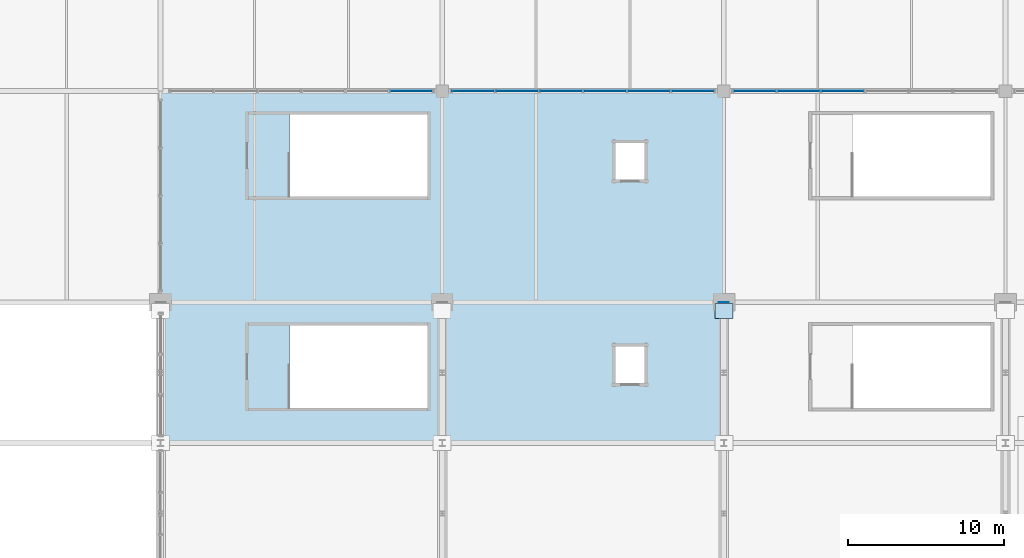
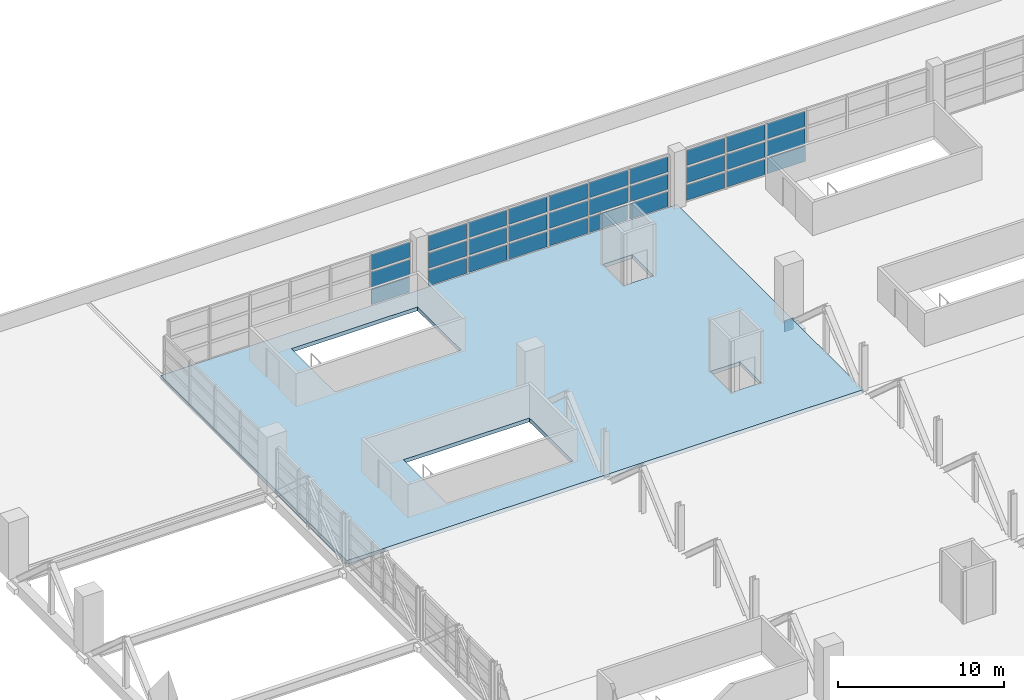
# One storey, part 104 of 136: 32 plates, 1 slab, 3 elements without a shape of their own.
"""IFC4 building model written with IfcOpenShell, lengths in metres."""

from ifc_helpers import new_model, si_unit, direction, frame, origin, origin_2d, place, context, subcontext, project, spatial, polyline, rectangle, outline, extrude, material, layer, layer_set, type_object, element, aggregate, save


model = new_model("IFC4")

# Units and contexts
model_context = context("Model", 3, precision=1e-05, world=origin(), true_north=direction((0.0, 1.0)))
body_context = subcontext(model_context, "Body", "Model", "MODEL_VIEW")
ifc_project = project(units=[si_unit("LENGTHUNIT", "METRE"), si_unit("AREAUNIT", "SQUARE_METRE"), si_unit("VOLUMEUNIT", "CUBIC_METRE"), si_unit("PLANEANGLEUNIT", "RADIAN"), si_unit("MASSUNIT", "GRAM", prefix="KILO")], contexts=[model_context])

# Site, building, storey
site_placement = place(None, origin())
site = spatial("IfcSite", under=ifc_project, at=site_placement, CompositionType="ELEMENT")
building_placement = place(site_placement, origin())
building = spatial("IfcBuilding", under=site, at=building_placement, Name="Chuanluo Vaults Station", CompositionType="ELEMENT")
storey_placement = place(building_placement, frame((0.0, 0.0, 6.60009765625)))
storey = spatial("IfcBuildingStorey", under=building, at=storey_placement, Name="L01", CompositionType="ELEMENT", Elevation=6.60009765625)

# Curtain wall, plate
ifc_material_1 = material(Name="Anodised aluminium 6063-T6", Category="aluminium")
curtain_wall_type_1 = type_object("IfcCurtainWallType", Name="CW-SYS-07", PredefinedType="NOTDEFINED", material=ifc_material_1)
curtain_wall_1_placement = place(storey_placement, origin())
curtain_wall_1 = element("IfcCurtainWall", 1, at=curtain_wall_1_placement, inside=storey, type_object=curtain_wall_type_1, Name="Over-track V2 north facade CW", PredefinedType="NOTDEFINED")
ifc_material_2 = material(Name="Ceramic-fritted spandrel glass", Category="glass")
ifc_layer_1 = layer(ifc_material_2, 0.06396484375)
ifc_layer_set_1 = layer_set([ifc_layer_1], Name="Ceramic-fritted spandrel glass")
plate_type_1 = type_object("IfcPlateType", Name="CWP-SPN-42", PredefinedType="SHEET", material=ifc_layer_set_1)
plate_1_placement = place(storey_placement, frame((34.020751953125, 117.0, 0.080078125), z_axis=(0.0, 0.0, 1.0), x_axis=(1.0, 0.0, 0.0)))
plate_1 = element("IfcPlate", 2, at=plate_1_placement, type_object=plate_type_1, Name="Over-track V2 north facade CW glazed panel 6.1", PredefinedType="SHEET", context=body_context, shape_type="SweptSolid", body=[
    extrude(rectangle(XDim=2.648193359375, YDim=0.06396484375, at=origin_2d()), origin(), (0.0, 0.0, 1.0), 1.123291015625),
])

# Curtain wall, plates
ifc_material_3 = material(Name="Anodised aluminium 6063-T6", Category="aluminium")
curtain_wall_type_2 = type_object("IfcCurtainWallType", Name="CW-SYS-11", PredefinedType="NOTDEFINED", material=ifc_material_3)
curtain_wall_2_placement = place(storey_placement, origin())
curtain_wall_2 = element("IfcCurtainWall", 3, at=curtain_wall_2_placement, inside=storey, type_object=curtain_wall_type_2, Name="Over-track V3 north facade CW", PredefinedType="NOTDEFINED")
plate_2_placement = place(storey_placement, frame((37.979248046875, 117.0, 0.080078125), z_axis=(0.0, 0.0, 1.0), x_axis=(1.0, 0.0, 0.0)))
plate_2 = element("IfcPlate", 4, at=plate_2_placement, type_object=plate_type_1, Name="Over-track V3 north facade CW glazed panel 1.1", PredefinedType="SHEET", context=body_context, shape_type="SweptSolid", body=[
    extrude(rectangle(XDim=2.648193359375, YDim=0.06396484375, at=origin_2d()), origin(), (0.0, 0.0, 1.0), 1.123291015625),
])
plate_3_placement = place(storey_placement, frame((40.78759765625, 117.0, 0.080078125), z_axis=(0.0, 0.0, 1.0), x_axis=(1.0, 0.0, 0.0)))
plate_3 = element("IfcPlate", 5, at=plate_3_placement, type_object=plate_type_1, Name="Over-track V3 north facade CW glazed panel 2.1", PredefinedType="SHEET", context=body_context, shape_type="SweptSolid", body=[
    extrude(rectangle(XDim=2.648193359375, YDim=0.06396484375, at=origin_2d()), origin(), (0.0, 0.0, 1.0), 1.123291015625),
])
plate_4_placement = place(storey_placement, frame((43.595703125, 117.0, 0.080078125), z_axis=(0.0, 0.0, 1.0), x_axis=(1.0, 0.0, 0.0)))
plate_4 = element("IfcPlate", 6, at=plate_4_placement, type_object=plate_type_1, Name="Over-track V3 north facade CW glazed panel 3.1", PredefinedType="SHEET", context=body_context, shape_type="SweptSolid", body=[
    extrude(rectangle(XDim=2.648193359375, YDim=0.06396484375, at=origin_2d()), origin(), (0.0, 0.0, 1.0), 1.123291015625),
])
plate_5_placement = place(storey_placement, frame((46.404296875, 117.0, 0.080078125), z_axis=(0.0, 0.0, 1.0), x_axis=(1.0, 0.0, 0.0)))
plate_5 = element("IfcPlate", 7, at=plate_5_placement, type_object=plate_type_1, Name="Over-track V3 north facade CW glazed panel 4.1", PredefinedType="SHEET", context=body_context, shape_type="SweptSolid", body=[
    extrude(rectangle(XDim=2.648193359375, YDim=0.06396484375, at=origin_2d()), origin(), (0.0, 0.0, 1.0), 1.123291015625),
])
plate_6_placement = place(storey_placement, frame((49.21240234375, 117.0, 0.080078125), z_axis=(0.0, 0.0, 1.0), x_axis=(1.0, 0.0, 0.0)))
plate_6 = element("IfcPlate", 8, at=plate_6_placement, type_object=plate_type_1, Name="Over-track V3 north facade CW glazed panel 5.1", PredefinedType="SHEET", context=body_context, shape_type="SweptSolid", body=[
    extrude(rectangle(XDim=2.648193359375, YDim=0.06396484375, at=origin_2d()), origin(), (0.0, 0.0, 1.0), 1.123291015625),
])
plate_7_placement = place(storey_placement, frame((52.020751953125, 117.0, 0.080078125), z_axis=(0.0, 0.0, 1.0), x_axis=(1.0, 0.0, 0.0)))
plate_7 = element("IfcPlate", 9, at=plate_7_placement, type_object=plate_type_1, Name="Over-track V3 north facade CW glazed panel 6.1", PredefinedType="SHEET", context=body_context, shape_type="SweptSolid", body=[
    extrude(rectangle(XDim=2.648193359375, YDim=0.06396484375, at=origin_2d()), origin(), (0.0, 0.0, 1.0), 1.123291015625),
])

ifc_material_4 = material(Name="Anodised aluminium 6063-T6", Category="aluminium")
curtain_wall_type_3 = type_object("IfcCurtainWallType", Name="CW-SYS-15", PredefinedType="NOTDEFINED", material=ifc_material_4)
curtain_wall_3_placement = place(storey_placement, origin())
curtain_wall_3 = element("IfcCurtainWall", 10, at=curtain_wall_3_placement, inside=storey, type_object=curtain_wall_type_3, Name="Over-track V4 north facade CW", PredefinedType="NOTDEFINED")
plate_8_placement = place(storey_placement, frame((55.979248046875, 117.0, 0.080078125), z_axis=(0.0, 0.0, 1.0), x_axis=(1.0, 0.0, 0.0)))
plate_8 = element("IfcPlate", 11, at=plate_8_placement, type_object=plate_type_1, Name="Over-track V4 north facade CW glazed panel 1.1", PredefinedType="SHEET", context=body_context, shape_type="SweptSolid", body=[
    extrude(rectangle(XDim=2.648193359375, YDim=0.06396484375, at=origin_2d()), origin(), (0.0, 0.0, 1.0), 1.123291015625),
])
plate_9_placement = place(storey_placement, frame((58.78759765625, 117.0, 0.080078125), z_axis=(0.0, 0.0, 1.0), x_axis=(1.0, 0.0, 0.0)))
plate_9 = element("IfcPlate", 12, at=plate_9_placement, type_object=plate_type_1, Name="Over-track V4 north facade CW glazed panel 2.1", PredefinedType="SHEET", context=body_context, shape_type="SweptSolid", body=[
    extrude(rectangle(XDim=2.648193359375, YDim=0.06396484375, at=origin_2d()), origin(), (0.0, 0.0, 1.0), 1.123291015625),
])
plate_10_placement = place(storey_placement, frame((61.595703125, 117.0, 0.080078125), z_axis=(0.0, 0.0, 1.0), x_axis=(1.0, 0.0, 0.0)))
plate_10 = element("IfcPlate", 13, at=plate_10_placement, type_object=plate_type_1, Name="Over-track V4 north facade CW glazed panel 3.1", PredefinedType="SHEET", context=body_context, shape_type="SweptSolid", body=[
    extrude(rectangle(XDim=2.648193359375, YDim=0.06396484375, at=origin_2d()), origin(), (0.0, 0.0, 1.0), 1.123291015625),
])

# Plate
ifc_material_5 = material(Name="Double-silver Low-E laminated glass", Category="glass")
ifc_layer_2 = layer(ifc_material_5, 0.048095703125)
ifc_layer_set_2 = layer_set([ifc_layer_2], Name="Double-silver Low-E laminated glass")
plate_type_2 = type_object("IfcPlateType", Name="CWP-VIS-32", PredefinedType="CURTAIN_PANEL", material=ifc_layer_set_2)
plate_11_placement = place(storey_placement, frame((34.020751953125, 117.0, 1.36328125), z_axis=(0.0, 0.0, 1.0), x_axis=(1.0, 0.0, 0.0)))
plate_11 = element("IfcPlate", 14, at=plate_11_placement, type_object=plate_type_2, Name="Over-track V2 north facade CW glazed panel 6.2", PredefinedType="CURTAIN_PANEL", context=body_context, shape_type="SweptSolid", body=[
    extrude(rectangle(XDim=2.648193359375, YDim=0.048095703125, at=origin_2d()), origin(), (0.0, 0.0, 1.0), 1.123291015625),
])

plate_12_placement = place(storey_placement, frame((34.020751953125, 117.0, 2.646484375), z_axis=(0.0, 0.0, 1.0), x_axis=(1.0, 0.0, 0.0)))
plate_12 = element("IfcPlate", 15, at=plate_12_placement, type_object=plate_type_2, Name="Over-track V2 north facade CW glazed panel 6.3", PredefinedType="CURTAIN_PANEL", context=body_context, shape_type="SweptSolid", body=[
    extrude(rectangle(XDim=2.648193359375, YDim=0.048095703125, at=origin_2d()), origin(), (0.0, 0.0, 1.0), 1.123291015625),
])

aggregate(curtain_wall_1, [plate_1, plate_11, plate_12])

plate_13_placement = place(storey_placement, frame((37.979248046875, 117.0, 1.36328125), z_axis=(0.0, 0.0, 1.0), x_axis=(1.0, 0.0, 0.0)))
plate_13 = element("IfcPlate", 16, at=plate_13_placement, type_object=plate_type_2, Name="Over-track V3 north facade CW glazed panel 1.2", PredefinedType="CURTAIN_PANEL", context=body_context, shape_type="SweptSolid", body=[
    extrude(rectangle(XDim=2.648193359375, YDim=0.048095703125, at=origin_2d()), origin(), (0.0, 0.0, 1.0), 1.123291015625),
])

plate_14_placement = place(storey_placement, frame((37.979248046875, 117.0, 2.646484375), z_axis=(0.0, 0.0, 1.0), x_axis=(1.0, 0.0, 0.0)))
plate_14 = element("IfcPlate", 17, at=plate_14_placement, type_object=plate_type_2, Name="Over-track V3 north facade CW glazed panel 1.3", PredefinedType="CURTAIN_PANEL", context=body_context, shape_type="SweptSolid", body=[
    extrude(rectangle(XDim=2.648193359375, YDim=0.048095703125, at=origin_2d()), origin(), (0.0, 0.0, 1.0), 1.123291015625),
])

plate_15_placement = place(storey_placement, frame((40.78759765625, 117.0, 1.36328125), z_axis=(0.0, 0.0, 1.0), x_axis=(1.0, 0.0, 0.0)))
plate_15 = element("IfcPlate", 18, at=plate_15_placement, type_object=plate_type_2, Name="Over-track V3 north facade CW glazed panel 2.2", PredefinedType="CURTAIN_PANEL", context=body_context, shape_type="SweptSolid", body=[
    extrude(rectangle(XDim=2.648193359375, YDim=0.048095703125, at=origin_2d()), origin(), (0.0, 0.0, 1.0), 1.123291015625),
])

plate_16_placement = place(storey_placement, frame((40.78759765625, 117.0, 2.646484375), z_axis=(0.0, 0.0, 1.0), x_axis=(1.0, 0.0, 0.0)))
plate_16 = element("IfcPlate", 19, at=plate_16_placement, type_object=plate_type_2, Name="Over-track V3 north facade CW glazed panel 2.3", PredefinedType="CURTAIN_PANEL", context=body_context, shape_type="SweptSolid", body=[
    extrude(rectangle(XDim=2.648193359375, YDim=0.048095703125, at=origin_2d()), origin(), (0.0, 0.0, 1.0), 1.123291015625),
])

plate_17_placement = place(storey_placement, frame((43.595703125, 117.0, 1.36328125), z_axis=(0.0, 0.0, 1.0), x_axis=(1.0, 0.0, 0.0)))
plate_17 = element("IfcPlate", 20, at=plate_17_placement, type_object=plate_type_2, Name="Over-track V3 north facade CW glazed panel 3.2", PredefinedType="CURTAIN_PANEL", context=body_context, shape_type="SweptSolid", body=[
    extrude(rectangle(XDim=2.648193359375, YDim=0.048095703125, at=origin_2d()), origin(), (0.0, 0.0, 1.0), 1.123291015625),
])

plate_18_placement = place(storey_placement, frame((43.595703125, 117.0, 2.646484375), z_axis=(0.0, 0.0, 1.0), x_axis=(1.0, 0.0, 0.0)))
plate_18 = element("IfcPlate", 21, at=plate_18_placement, type_object=plate_type_2, Name="Over-track V3 north facade CW glazed panel 3.3", PredefinedType="CURTAIN_PANEL", context=body_context, shape_type="SweptSolid", body=[
    extrude(rectangle(XDim=2.648193359375, YDim=0.048095703125, at=origin_2d()), origin(), (0.0, 0.0, 1.0), 1.123291015625),
])

plate_19_placement = place(storey_placement, frame((46.404296875, 117.0, 1.36328125), z_axis=(0.0, 0.0, 1.0), x_axis=(1.0, 0.0, 0.0)))
plate_19 = element("IfcPlate", 22, at=plate_19_placement, type_object=plate_type_2, Name="Over-track V3 north facade CW glazed panel 4.2", PredefinedType="CURTAIN_PANEL", context=body_context, shape_type="SweptSolid", body=[
    extrude(rectangle(XDim=2.648193359375, YDim=0.048095703125, at=origin_2d()), origin(), (0.0, 0.0, 1.0), 1.123291015625),
])

plate_20_placement = place(storey_placement, frame((46.404296875, 117.0, 2.646484375), z_axis=(0.0, 0.0, 1.0), x_axis=(1.0, 0.0, 0.0)))
plate_20 = element("IfcPlate", 23, at=plate_20_placement, type_object=plate_type_2, Name="Over-track V3 north facade CW glazed panel 4.3", PredefinedType="CURTAIN_PANEL", context=body_context, shape_type="SweptSolid", body=[
    extrude(rectangle(XDim=2.648193359375, YDim=0.048095703125, at=origin_2d()), origin(), (0.0, 0.0, 1.0), 1.123291015625),
])

plate_21_placement = place(storey_placement, frame((49.21240234375, 117.0, 1.36328125), z_axis=(0.0, 0.0, 1.0), x_axis=(1.0, 0.0, 0.0)))
plate_21 = element("IfcPlate", 24, at=plate_21_placement, type_object=plate_type_2, Name="Over-track V3 north facade CW glazed panel 5.2", PredefinedType="CURTAIN_PANEL", context=body_context, shape_type="SweptSolid", body=[
    extrude(rectangle(XDim=2.648193359375, YDim=0.048095703125, at=origin_2d()), origin(), (0.0, 0.0, 1.0), 1.123291015625),
])

plate_22_placement = place(storey_placement, frame((49.21240234375, 117.0, 2.646484375), z_axis=(0.0, 0.0, 1.0), x_axis=(1.0, 0.0, 0.0)))
plate_22 = element("IfcPlate", 25, at=plate_22_placement, type_object=plate_type_2, Name="Over-track V3 north facade CW glazed panel 5.3", PredefinedType="CURTAIN_PANEL", context=body_context, shape_type="SweptSolid", body=[
    extrude(rectangle(XDim=2.648193359375, YDim=0.048095703125, at=origin_2d()), origin(), (0.0, 0.0, 1.0), 1.123291015625),
])

plate_23_placement = place(storey_placement, frame((52.020751953125, 117.0, 1.36328125), z_axis=(0.0, 0.0, 1.0), x_axis=(1.0, 0.0, 0.0)))
plate_23 = element("IfcPlate", 26, at=plate_23_placement, type_object=plate_type_2, Name="Over-track V3 north facade CW glazed panel 6.2", PredefinedType="CURTAIN_PANEL", context=body_context, shape_type="SweptSolid", body=[
    extrude(rectangle(XDim=2.648193359375, YDim=0.048095703125, at=origin_2d()), origin(), (0.0, 0.0, 1.0), 1.123291015625),
])

plate_24_placement = place(storey_placement, frame((52.020751953125, 117.0, 2.646484375), z_axis=(0.0, 0.0, 1.0), x_axis=(1.0, 0.0, 0.0)))
plate_24 = element("IfcPlate", 27, at=plate_24_placement, type_object=plate_type_2, Name="Over-track V3 north facade CW glazed panel 6.3", PredefinedType="CURTAIN_PANEL", context=body_context, shape_type="SweptSolid", body=[
    extrude(rectangle(XDim=2.648193359375, YDim=0.048095703125, at=origin_2d()), origin(), (0.0, 0.0, 1.0), 1.123291015625),
])

aggregate(curtain_wall_2, [plate_2, plate_13, plate_14, plate_3, plate_15, plate_16, plate_4, plate_17, plate_18, plate_5, plate_19, plate_20, plate_6, plate_21, plate_22, plate_7, plate_23, plate_24])

plate_25_placement = place(storey_placement, frame((55.979248046875, 117.0, 1.36328125), z_axis=(0.0, 0.0, 1.0), x_axis=(1.0, 0.0, 0.0)))
plate_25 = element("IfcPlate", 28, at=plate_25_placement, type_object=plate_type_2, Name="Over-track V4 north facade CW glazed panel 1.2", PredefinedType="CURTAIN_PANEL", context=body_context, shape_type="SweptSolid", body=[
    extrude(rectangle(XDim=2.648193359375, YDim=0.048095703125, at=origin_2d()), origin(), (0.0, 0.0, 1.0), 1.123291015625),
])

plate_26_placement = place(storey_placement, frame((55.979248046875, 117.0, 2.646484375), z_axis=(0.0, 0.0, 1.0), x_axis=(1.0, 0.0, 0.0)))
plate_26 = element("IfcPlate", 29, at=plate_26_placement, type_object=plate_type_2, Name="Over-track V4 north facade CW glazed panel 1.3", PredefinedType="CURTAIN_PANEL", context=body_context, shape_type="SweptSolid", body=[
    extrude(rectangle(XDim=2.648193359375, YDim=0.048095703125, at=origin_2d()), origin(), (0.0, 0.0, 1.0), 1.123291015625),
])

plate_27_placement = place(storey_placement, frame((58.78759765625, 117.0, 1.36328125), z_axis=(0.0, 0.0, 1.0), x_axis=(1.0, 0.0, 0.0)))
plate_27 = element("IfcPlate", 30, at=plate_27_placement, type_object=plate_type_2, Name="Over-track V4 north facade CW glazed panel 2.2", PredefinedType="CURTAIN_PANEL", context=body_context, shape_type="SweptSolid", body=[
    extrude(rectangle(XDim=2.648193359375, YDim=0.048095703125, at=origin_2d()), origin(), (0.0, 0.0, 1.0), 1.123291015625),
])

plate_28_placement = place(storey_placement, frame((58.78759765625, 117.0, 2.646484375), z_axis=(0.0, 0.0, 1.0), x_axis=(1.0, 0.0, 0.0)))
plate_28 = element("IfcPlate", 31, at=plate_28_placement, type_object=plate_type_2, Name="Over-track V4 north facade CW glazed panel 2.3", PredefinedType="CURTAIN_PANEL", context=body_context, shape_type="SweptSolid", body=[
    extrude(rectangle(XDim=2.648193359375, YDim=0.048095703125, at=origin_2d()), origin(), (0.0, 0.0, 1.0), 1.123291015625),
])

plate_29_placement = place(storey_placement, frame((61.595703125, 117.0, 1.36328125), z_axis=(0.0, 0.0, 1.0), x_axis=(1.0, 0.0, 0.0)))
plate_29 = element("IfcPlate", 32, at=plate_29_placement, type_object=plate_type_2, Name="Over-track V4 north facade CW glazed panel 3.2", PredefinedType="CURTAIN_PANEL", context=body_context, shape_type="SweptSolid", body=[
    extrude(rectangle(XDim=2.648193359375, YDim=0.048095703125, at=origin_2d()), origin(), (0.0, 0.0, 1.0), 1.123291015625),
])

plate_30_placement = place(storey_placement, frame((61.595703125, 117.0, 2.646484375), z_axis=(0.0, 0.0, 1.0), x_axis=(1.0, 0.0, 0.0)))
plate_30 = element("IfcPlate", 33, at=plate_30_placement, type_object=plate_type_2, Name="Over-track V4 north facade CW glazed panel 3.3", PredefinedType="CURTAIN_PANEL", context=body_context, shape_type="SweptSolid", body=[
    extrude(rectangle(XDim=2.648193359375, YDim=0.048095703125, at=origin_2d()), origin(), (0.0, 0.0, 1.0), 1.123291015625),
])

aggregate(curtain_wall_3, [plate_8, plate_25, plate_26, plate_9, plate_27, plate_28, plate_10, plate_29, plate_30])

# Plates
ifc_material_6 = material(Name="Steel Q390C", Category="steel")
ifc_layer_3 = layer(ifc_material_6, 0.02587890625)
ifc_layer_set_3 = layer_set([ifc_layer_3], Name="Steel Q390C")
plate_type_3 = type_object("IfcPlateType", Name="PLT-CAP-26", PredefinedType="USERDEFINED", material=ifc_layer_set_3)
plate_31_placement = place(storey_placement, frame((54.0, 103.5, -1.10009765625), z_axis=(0.0, 0.0, 1.0), x_axis=(1.0, 0.0, 0.0)))
element("IfcPlate", 34, at=plate_31_placement, inside=storey, type_object=plate_type_3, Name="Truss TT-4 bottom chord end cap N", ObjectType="COVER_PLATE", PredefinedType="USERDEFINED", context=body_context, shape_type="SweptSolid", body=[
    extrude(rectangle(XDim=0.639892578125, YDim=0.02587890625, at=origin_2d()), origin(), (0.0, 0.0, 1.0), 0.840087890625),
])
ifc_material_7 = material(Name="Steel Q390C", Category="steel")
ifc_layer_4 = layer(ifc_material_7, 0.031982421875)
ifc_layer_set_4 = layer_set([ifc_layer_4], Name="Steel Q390C")
plate_type_4 = type_object("IfcPlateType", Name="PLT-GUS-32", PredefinedType="USERDEFINED", material=ifc_layer_set_4)
plate_32_placement = place(storey_placement, frame((54.0, 102.949951171875, -0.8603515625), z_axis=(0.0, 0.0, 1.0), x_axis=(1.0, 0.0, 0.0)))
element("IfcPlate", 35, at=plate_32_placement, inside=storey, type_object=plate_type_4, Name="Structural steel node diaphragm 0020", ObjectType="GUSSET_PLATE", PredefinedType="USERDEFINED", context=body_context, shape_type="SweptSolid", body=[
    extrude(rectangle(XDim=1.14990234375, YDim=0.949951171875, at=origin_2d()), origin(), (0.0, 0.0, 1.0), 0.360107421875),
])

# Slab
ifc_material_8 = material(Name="Concrete C40", Category="concrete")
ifc_layer_5 = layer(ifc_material_8, 0.280029296875)
ifc_layer_set_5 = layer_set([ifc_layer_5], Name="Concrete C40")
slab_type = type_object("IfcSlabType", Name="SLB-CON-280", PredefinedType="FLOOR", material=ifc_layer_set_5)
slab_placement = place(storey_placement, frame((0.0, 0.0, -0.280029296875)))
element("IfcSlab", 36, at=slab_placement, inside=storey, type_object=slab_type, Name="L01 OTRK slab 03", PredefinedType="FLOOR", context=body_context, shape_type="SweptSolid", body=[
    extrude(outline(polyline([(18.0, 94.5), (54.0, 94.5), (54.0, 117.0), (18.0, 117.0), (18.0, 94.5)]), holes=[polyline([(26.25390625, 96.75), (35.050048828125, 96.75), (35.050048828125, 102.0), (26.25390625, 102.0), (26.25390625, 96.75)]), polyline([(26.25390625, 110.25), (35.050048828125, 110.25), (35.050048828125, 115.5), (26.25390625, 115.5), (26.25390625, 110.25)]), polyline([(46.97998046875, 98.22998046875), (49.02001953125, 98.22998046875), (49.02001953125, 100.77001953125), (46.97998046875, 100.77001953125), (46.97998046875, 98.22998046875)]), polyline([(46.97998046875, 111.22998046875), (49.02001953125, 111.22998046875), (49.02001953125, 113.77001953125), (46.97998046875, 113.77001953125), (46.97998046875, 111.22998046875)])]), origin(), (0.0, 0.0, 1.0), 0.280029296875),
])

save(model, "model.ifc")
